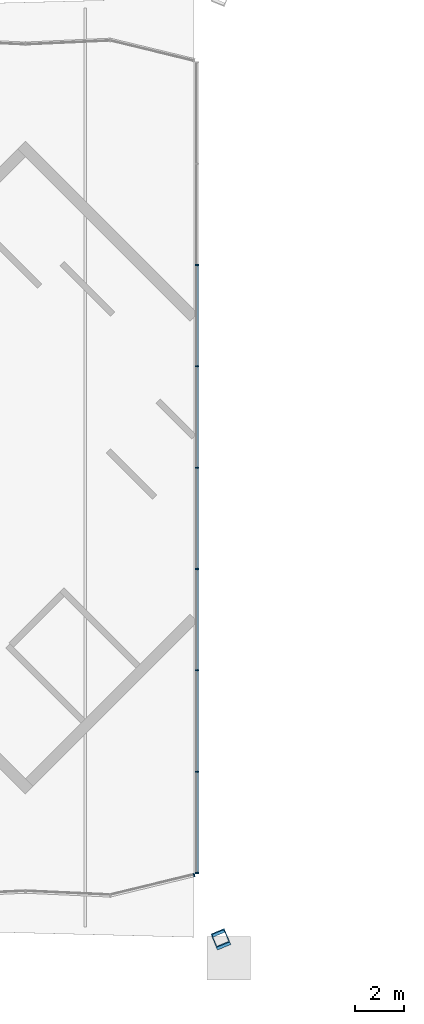
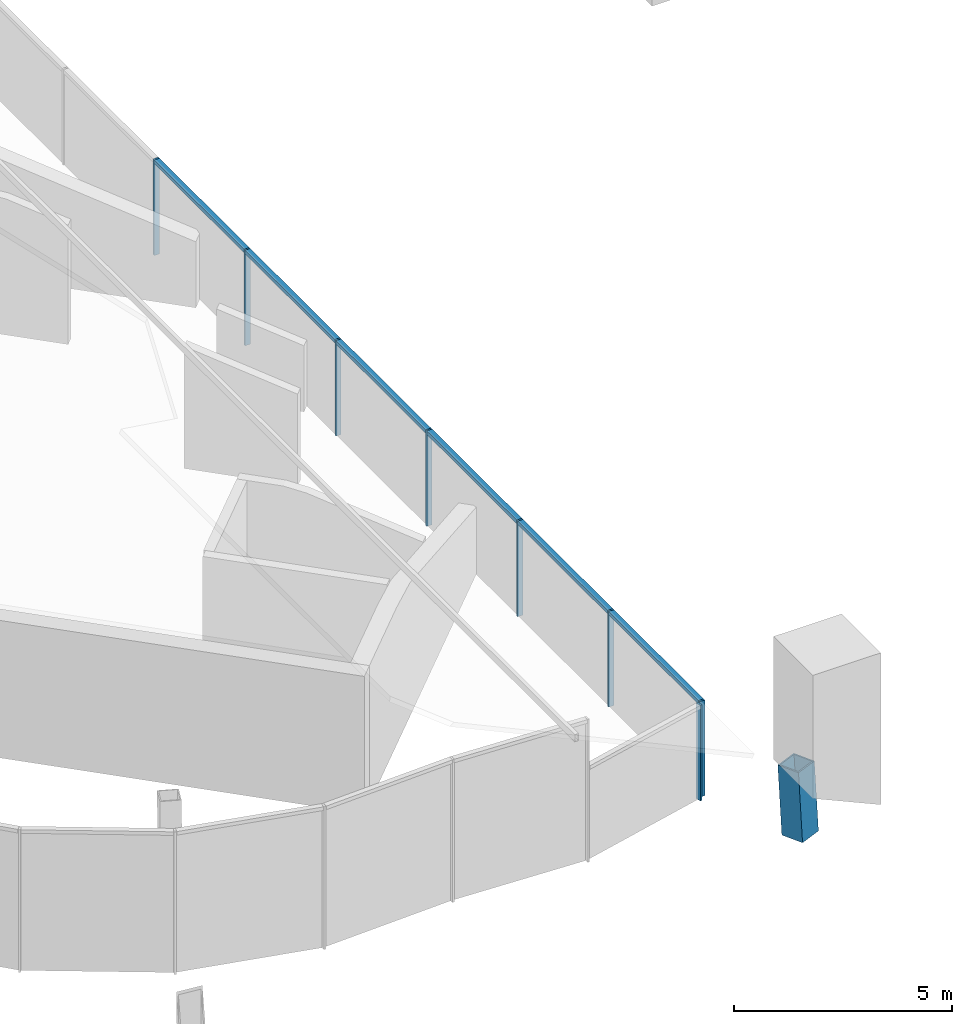
# One storey, part 10 of 14: 15 members, 4 elements without a shape of their own.
"""IFC4 building model written with IfcOpenShell, lengths in metres."""

from ifc_helpers import new_model, si_unit, direction, frame, origin, origin_2d, place, context, subcontext, project, spatial, rectangle, hollow_rectangle, extrude, material, material_profile, profile_set, type_object, element, aggregate, save


model = new_model("IFC4")

# Units and contexts
model_context = context("Model", 3, precision=1e-05, world=origin(), true_north=direction((0.0, 1.0)))
body_context = subcontext(model_context, "Body", "Model", "MODEL_VIEW")
ifc_project = project(units=[si_unit("LENGTHUNIT", "METRE"), si_unit("AREAUNIT", "SQUARE_METRE"), si_unit("VOLUMEUNIT", "CUBIC_METRE"), si_unit("PLANEANGLEUNIT", "RADIAN"), si_unit("MASSUNIT", "GRAM", prefix="KILO")], contexts=[model_context])

# Site, building, storey
site_placement = place(None, origin())
site = spatial("IfcSite", under=ifc_project, at=site_placement, CompositionType="ELEMENT")
building_placement = place(site_placement, origin())
building = spatial("IfcBuilding", under=site, at=building_placement, Name="Ogive Gate Towers", CompositionType="ELEMENT")
storey_placement = place(building_placement, frame((0.0, 0.0, 306.0)))
storey = spatial("IfcBuildingStorey", under=building, at=storey_placement, Name="L72", CompositionType="ELEMENT", Elevation=306.0)

# Curtain wall, members
ifc_material_1 = material(Name="Pale metal aluminium", Category="aluminium")
curtain_wall_type = type_object("IfcCurtainWallType", Name="Crown lean wall", PredefinedType="NOTDEFINED", material=ifc_material_1)
curtain_wall_1_placement = place(storey_placement, origin())
curtain_wall_1 = element("IfcCurtainWall", 1, at=curtain_wall_1_placement, inside=storey, type_object=curtain_wall_type, Name="CW5 T2 ECW01", PredefinedType="NOTDEFINED")
ifc_material_profile_1 = material_profile(ifc_material_1, rectangle(XDim=0.139892578125, YDim=0.050048828125, at=origin_2d()), Name="50 x 140 aluminium box")
ifc_profile_set_1 = profile_set([ifc_material_profile_1], Name="Pale metal aluminium")
member_type_1 = type_object("IfcMemberType", Name="Crown lean wall mullion 50 x 140", PredefinedType="MULLION", material=ifc_profile_set_1)
member_1_placement = place(storey_placement, frame((43.059326171875, 8.342041015625, -0.300048828125), z_axis=(0.0, 0.0, 1.0), x_axis=(-1.0, 0.0, 0.0)))
member_1 = element("IfcMember", 2, at=member_1_placement, type_object=member_type_1, Name="CW5 mullion", PredefinedType="MULLION", context=body_context, shape_type="SweptSolid", body=[
    extrude(rectangle(XDim=0.139892578125, YDim=0.050048828125, at=origin_2d()), origin(), (0.0, 0.0, 1.0), 2.679931640625),
])
member_2_placement = place(storey_placement, frame((43.059326171875, 4.1708984375, -0.300048828125), z_axis=(0.0, 0.0, 1.0), x_axis=(-1.0, 0.0, 0.0)))
member_2 = element("IfcMember", 3, at=member_2_placement, type_object=member_type_1, Name="CW5 mullion", PredefinedType="MULLION", context=body_context, shape_type="SweptSolid", body=[
    extrude(rectangle(XDim=0.139892578125, YDim=0.050048828125, at=origin_2d()), origin(), (0.0, 0.0, 1.0), 2.679931640625),
])
member_3_placement = place(storey_placement, frame((43.059326171875, 0.0, -0.300048828125), z_axis=(0.0, 0.0, 1.0), x_axis=(-1.0, 0.0, 0.0)))
member_3 = element("IfcMember", 4, at=member_3_placement, type_object=member_type_1, Name="CW5 mullion", PredefinedType="MULLION", context=body_context, shape_type="SweptSolid", body=[
    extrude(rectangle(XDim=0.139892578125, YDim=0.050048828125, at=origin_2d()), origin(), (0.0, 0.0, 1.0), 2.679931640625),
])

# Curtain wall, member
curtain_wall_2_placement = place(storey_placement, origin())
curtain_wall_2 = element("IfcCurtainWall", 5, at=curtain_wall_2_placement, inside=storey, type_object=curtain_wall_type, Name="CW5 T2 ECW07", PredefinedType="NOTDEFINED")
member_4_placement = place(storey_placement, frame((42.94189453125, -16.77099609375, -0.300048828125), z_axis=(0.0, 0.0, 1.0), x_axis=(-0.23568492183, 0.971829520864, 0.0)))
member_4 = element("IfcMember", 6, at=member_4_placement, type_object=member_type_1, Name="CW5 mullion", PredefinedType="MULLION", context=body_context, shape_type="SweptSolid", body=[
    extrude(rectangle(XDim=0.139892578125, YDim=0.050048828125, at=origin_2d()), origin(), (0.0, 0.0, 1.0), 2.677734375),
])
aggregate(curtain_wall_2, [member_4])

# Curtain wall, members
curtain_wall_3_placement = place(storey_placement, origin())
curtain_wall_3 = element("IfcCurtainWall", 7, at=curtain_wall_3_placement, inside=storey, type_object=curtain_wall_type, Name="CW5 T2 ECW07b", PredefinedType="NOTDEFINED")
member_5_placement = place(storey_placement, frame((43.059326171875, -8.342041015625, -0.300048828125), z_axis=(0.0, 0.0, 1.0), x_axis=(-1.0, 0.0, 0.0)))
member_5 = element("IfcMember", 8, at=member_5_placement, type_object=member_type_1, Name="CW5 mullion", PredefinedType="MULLION", context=body_context, shape_type="SweptSolid", body=[
    extrude(rectangle(XDim=0.139892578125, YDim=0.050048828125, at=origin_2d()), origin(), (0.0, 0.0, 1.0), 2.679931640625),
])
member_6_placement = place(storey_placement, frame((43.059326171875, -12.51318359375, -0.300048828125), z_axis=(0.0, 0.0, 1.0), x_axis=(-1.0, 0.0, 0.0)))
member_6 = element("IfcMember", 9, at=member_6_placement, type_object=member_type_1, Name="CW5 mullion", PredefinedType="MULLION", context=body_context, shape_type="SweptSolid", body=[
    extrude(rectangle(XDim=0.139892578125, YDim=0.050048828125, at=origin_2d()), origin(), (0.0, 0.0, 1.0), 2.679931640625),
])
member_7_placement = place(storey_placement, frame((43.059326171875, -16.68408203125, -0.300048828125), z_axis=(0.0, 0.0, 1.0), x_axis=(-1.0, 0.0, 0.0)))
member_7 = element("IfcMember", 10, at=member_7_placement, type_object=member_type_1, Name="CW5 mullion", PredefinedType="MULLION", context=body_context, shape_type="SweptSolid", body=[
    extrude(rectangle(XDim=0.139892578125, YDim=0.050048828125, at=origin_2d()), origin(), (0.0, 0.0, 1.0), 2.679931640625),
])

# Curtain wall, member
curtain_wall_4_placement = place(storey_placement, origin())
curtain_wall_4 = element("IfcCurtainWall", 11, at=curtain_wall_4_placement, inside=storey, type_object=curtain_wall_type, Name="CW5 T2 ECW08", PredefinedType="NOTDEFINED")
member_8_placement = place(storey_placement, frame((43.059326171875, -4.1708984375, -0.300048828125), z_axis=(0.0, 0.0, 1.0), x_axis=(-1.0, 0.0, 0.0)))
member_8 = element("IfcMember", 12, at=member_8_placement, type_object=member_type_1, Name="CW5 mullion", PredefinedType="MULLION", context=body_context, shape_type="SweptSolid", body=[
    extrude(rectangle(XDim=0.139892578125, YDim=0.050048828125, at=origin_2d()), origin(), (0.0, 0.0, 1.0), 2.679931640625),
])

# Member
ifc_material_profile_2 = material_profile(ifc_material_1, rectangle(XDim=0.139892578125, YDim=0.10009765625, at=origin_2d()), Name="100 x 140 aluminium box")
ifc_profile_set_2 = profile_set([ifc_material_profile_2], Name="Pale metal aluminium")
member_type_2 = type_object("IfcMemberType", Name="Crown lean wall transom 100 x 140", PredefinedType="USERDEFINED", material=ifc_profile_set_2)
member_9_placement = place(storey_placement, frame((43.059326171875, 8.31689453125, 2.330078125), z_axis=(0.0, -1.0, 0.0), x_axis=(1.0, 0.0, 0.0)))
member_9 = element("IfcMember", 13, at=member_9_placement, type_object=member_type_2, Name="CW5 transom", ObjectType="TRANSOM", PredefinedType="USERDEFINED", context=body_context, shape_type="SweptSolid", body=[
    extrude(rectangle(XDim=0.139892578125, YDim=0.10009765625, at=origin_2d()), origin(), (0.0, 0.0, 1.0), 4.120849609375),
])

member_10_placement = place(storey_placement, frame((43.059326171875, 4.14599609375, 2.330078125), z_axis=(0.0, -1.0, 0.0), x_axis=(1.0, 0.0, 0.0)))
member_10 = element("IfcMember", 14, at=member_10_placement, type_object=member_type_2, Name="CW5 transom", ObjectType="TRANSOM", PredefinedType="USERDEFINED", context=body_context, shape_type="SweptSolid", body=[
    extrude(rectangle(XDim=0.139892578125, YDim=0.10009765625, at=origin_2d()), origin(), (0.0, 0.0, 1.0), 4.12109375),
])

aggregate(curtain_wall_1, [member_1, member_2, member_9, member_3, member_10])

member_11_placement = place(storey_placement, frame((43.059326171875, -8.366943359375, 2.330078125), z_axis=(0.0, -1.0, 0.0), x_axis=(1.0, 0.0, 0.0)))
member_11 = element("IfcMember", 15, at=member_11_placement, type_object=member_type_2, Name="CW5 transom", ObjectType="TRANSOM", PredefinedType="USERDEFINED", context=body_context, shape_type="SweptSolid", body=[
    extrude(rectangle(XDim=0.139892578125, YDim=0.10009765625, at=origin_2d()), origin(), (0.0, 0.0, 1.0), 4.12109375),
])

member_12_placement = place(storey_placement, frame((43.059326171875, -12.5380859375, 2.330078125), z_axis=(0.0, -1.0, 0.0), x_axis=(1.0, 0.0, 0.0)))
member_12 = element("IfcMember", 16, at=member_12_placement, type_object=member_type_2, Name="CW5 transom", ObjectType="TRANSOM", PredefinedType="USERDEFINED", context=body_context, shape_type="SweptSolid", body=[
    extrude(rectangle(XDim=0.139892578125, YDim=0.10009765625, at=origin_2d()), origin(), (0.0, 0.0, 1.0), 4.12109375),
])

aggregate(curtain_wall_3, [member_5, member_6, member_11, member_7, member_12])

member_13_placement = place(storey_placement, frame((43.059326171875, -0.02490234375, 2.330078125), z_axis=(0.0, -1.0, 0.0), x_axis=(1.0, 0.0, 0.0)))
member_13 = element("IfcMember", 17, at=member_13_placement, type_object=member_type_2, Name="CW5 transom", ObjectType="TRANSOM", PredefinedType="USERDEFINED", context=body_context, shape_type="SweptSolid", body=[
    extrude(rectangle(XDim=0.139892578125, YDim=0.10009765625, at=origin_2d()), origin(), (0.0, 0.0, 1.0), 4.12109375),
])

member_14_placement = place(storey_placement, frame((43.059326171875, -4.196044921875, 2.330078125), z_axis=(0.0, -1.0, 0.0), x_axis=(1.0, 0.0, 0.0)))
member_14 = element("IfcMember", 18, at=member_14_placement, type_object=member_type_2, Name="CW5 transom", ObjectType="TRANSOM", PredefinedType="USERDEFINED", context=body_context, shape_type="SweptSolid", body=[
    extrude(rectangle(XDim=0.139892578125, YDim=0.10009765625, at=origin_2d()), origin(), (0.0, 0.0, 1.0), 4.120849609375),
])

aggregate(curtain_wall_4, [member_8, member_13, member_14])

ifc_material_2 = material(Name="Steel SM460", Category="steel")
ifc_material_profile_3 = material_profile(ifc_material_2, hollow_rectangle(XDim=0.60009765625, YDim=0.60009765625, WallThickness=0.0400390625, at=origin_2d()), Name="BX 600x600x40")
ifc_profile_set_3 = profile_set([ifc_material_profile_3], Name="Steel SM460")
member_type_3 = type_object("IfcMemberType", Name="Crown rib BX 600x600x40", PredefinedType="MEMBER", material=ifc_profile_set_3)
member_15_placement = place(storey_placement, frame((44.0634765625, -19.467041015625, 0.0), z_axis=(-0.023316281603, 0.056315827697, 0.998140710803), x_axis=(-0.923940414925, -0.382536416134, 0.0)))
element("IfcMember", 19, at=member_15_placement, inside=storey, type_object=member_type_3, Name="T2/L72/STR006", PredefinedType="MEMBER", context=body_context, shape_type="SweptSolid", body=[
    extrude(hollow_rectangle(XDim=0.60009765625, YDim=0.60009765625, WallThickness=0.0400390625, at=origin_2d()), origin(), (0.0, 0.0, 1.0), 1.916259765625),
])

save(model, "model.ifc")
